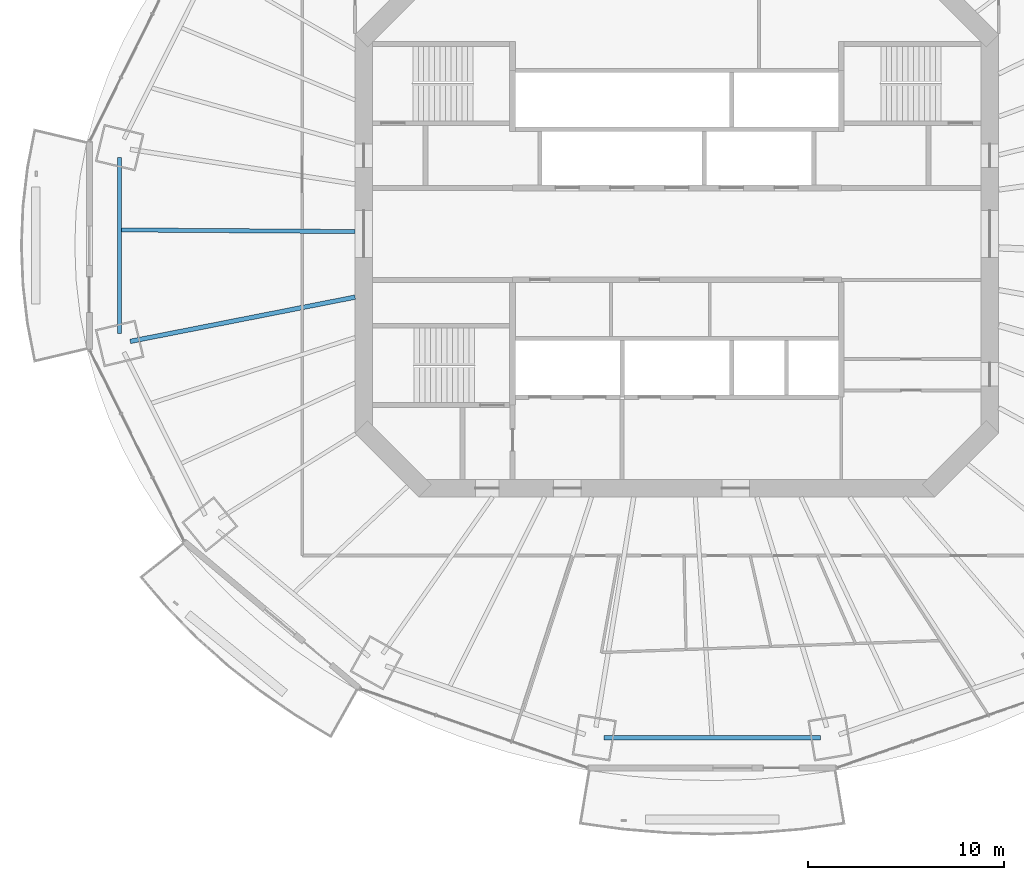
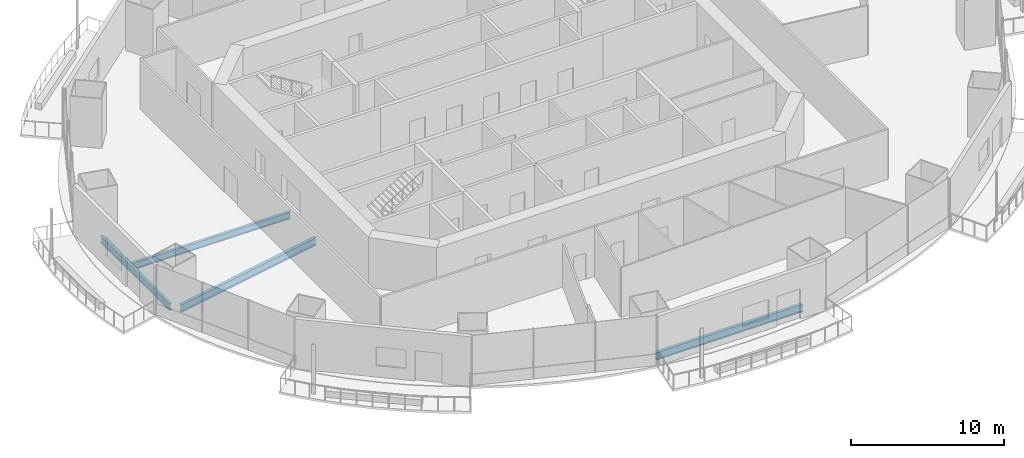
# One storey, part 3 of 20: 4 beams.
"""IFC4 building model written with IfcOpenShell, lengths in metres."""

from ifc_helpers import new_model, si_unit, direction, frame, origin, origin_2d, place, context, subcontext, project, spatial, i_section, extrude, material, material_profile, profile_set, type_object, element, save


model = new_model("IFC4")

# Units and contexts
model_context = context("Model", 3, precision=1e-05, world=origin(), true_north=direction((0.0, 1.0)))
body_context = subcontext(model_context, "Body", "Model", "MODEL_VIEW")
ifc_project = project(units=[si_unit("LENGTHUNIT", "METRE"), si_unit("AREAUNIT", "SQUARE_METRE"), si_unit("VOLUMEUNIT", "CUBIC_METRE"), si_unit("PLANEANGLEUNIT", "RADIAN"), si_unit("MASSUNIT", "GRAM", prefix="KILO")], contexts=[model_context])

# Site, building, storey
site_placement = place(None, origin())
site = spatial("IfcSite", under=ifc_project, at=site_placement, CompositionType="ELEMENT")
building_placement = place(site_placement, origin())
building = spatial("IfcBuilding", under=site, at=building_placement, Name="Marenthal Gate Tower", CompositionType="ELEMENT")
storey_placement = place(building_placement, frame((0.0, 0.0, 181.800048828125)))
storey = spatial("IfcBuildingStorey", under=building, at=storey_placement, Name="L39", CompositionType="ELEMENT", Elevation=181.800048828125)

# Beams
ifc_material_1 = material(Name="Steel S355", Category="steel")
ifc_material_profile_1 = material_profile(ifc_material_1, i_section(OverallWidth=0.2119140625, OverallDepth=0.5439453125, WebThickness=0.01318359375, FlangeThickness=0.021240234375, FilletRadius=0.0126953125, at=origin_2d()), Name="W530X123")
ifc_profile_set_1 = profile_set([ifc_material_profile_1], Name="Steel S355")
beam_type_1 = type_object("IfcBeamType", Name="W530X123 beam", PredefinedType="BEAM", material=ifc_profile_set_1)
beam_1_placement = place(storey_placement, frame((-28.377685546875, 0.19970703125, -0.4521484375), z_axis=(0.999975212374, -0.007040925844, 0.0), x_axis=(0.007040925844, 0.999975212374, 0.0)))
element("IfcBeam", 1, at=beam_1_placement, inside=storey, type_object=beam_type_1, Name="BM-L39-28", PredefinedType="BEAM", context=body_context, shape_type="SweptSolid", body=[
    extrude(i_section(OverallWidth=0.2119140625, OverallDepth=0.5439453125, WebThickness=0.01318359375, FlangeThickness=0.021240234375, FilletRadius=0.0126953125, at=origin_2d()), origin(), (0.0, 0.0, 1.0), 11.927978515625),
])
beam_2_placement = place(storey_placement, frame((-28.483642578125, 3.900634765625, -0.4521484375), z_axis=(0.0, -1.0, 0.0), x_axis=(1.0, 0.0, 0.0)))
element("IfcBeam", 2, at=beam_2_placement, inside=storey, type_object=beam_type_1, Name="BM-L39-48", PredefinedType="BEAM", context=body_context, shape_type="SweptSolid", body=[
    extrude(i_section(OverallWidth=0.2119140625, OverallDepth=0.5439453125, WebThickness=0.01318359375, FlangeThickness=0.021240234375, FilletRadius=0.0126953125, at=origin_2d()), origin(), (0.0, 0.0, 1.0), 9.001220703125),
])
ifc_material_2 = material(Name="Steel S355", Category="steel")
ifc_material_profile_2 = material_profile(ifc_material_2, i_section(OverallWidth=0.22900390625, OverallDepth=0.612060546875, WebThickness=0.011962890625, FlangeThickness=0.01953125, FilletRadius=0.0126953125, at=origin_2d()), Name="W610X125")
ifc_profile_set_2 = profile_set([ifc_material_profile_2], Name="Steel S355")
beam_type_2 = type_object("IfcBeamType", Name="W610X125 beam", PredefinedType="BEAM", material=ifc_profile_set_2)
beam_3_placement = place(storey_placement, frame((-27.943115234375, -5.4970703125, -0.486083984375), z_axis=(0.981193874076, 0.193024820881, 0.0), x_axis=(-0.193024820881, 0.981193874076, 0.0)))
element("IfcBeam", 3, at=beam_3_placement, inside=storey, type_object=beam_type_2, Name="BM-L39-09", PredefinedType="BEAM", context=body_context, shape_type="SweptSolid", body=[
    extrude(i_section(OverallWidth=0.22900390625, OverallDepth=0.612060546875, WebThickness=0.011962890625, FlangeThickness=0.01953125, FilletRadius=0.0126953125, at=origin_2d()), origin(), (0.0, 0.0, 1.0), 11.71337890625),
])
beam_4_placement = place(storey_placement, frame((-3.735595703125, -25.753173828125, -0.486083984375), z_axis=(1.0, 0.0, 0.0), x_axis=(0.0, 1.0, 0.0)))
element("IfcBeam", 4, at=beam_4_placement, inside=storey, type_object=beam_type_2, Name="BM-L39-52", PredefinedType="BEAM", context=body_context, shape_type="SweptSolid", body=[
    extrude(i_section(OverallWidth=0.22900390625, OverallDepth=0.612060546875, WebThickness=0.011962890625, FlangeThickness=0.01953125, FilletRadius=0.0126953125, at=origin_2d()), origin(), (0.0, 0.0, 1.0), 11.0712890625),
])

save(model, "model.ifc")
